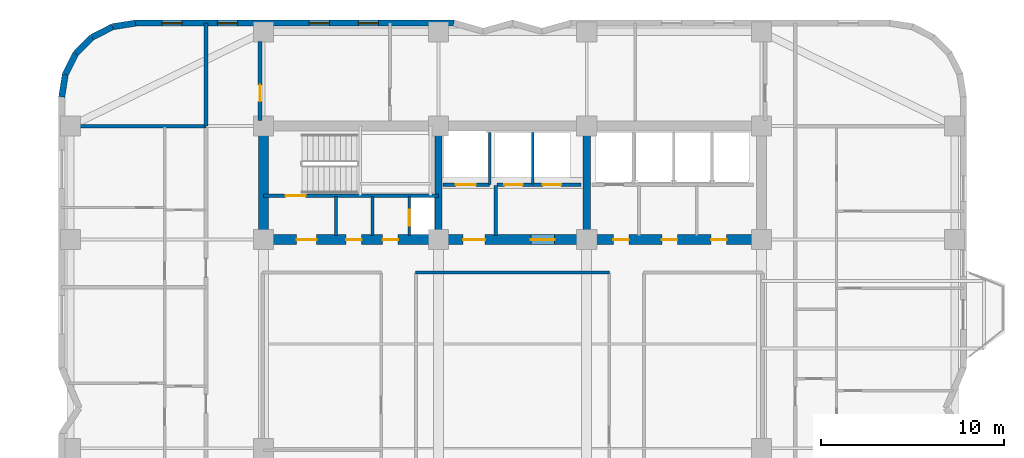
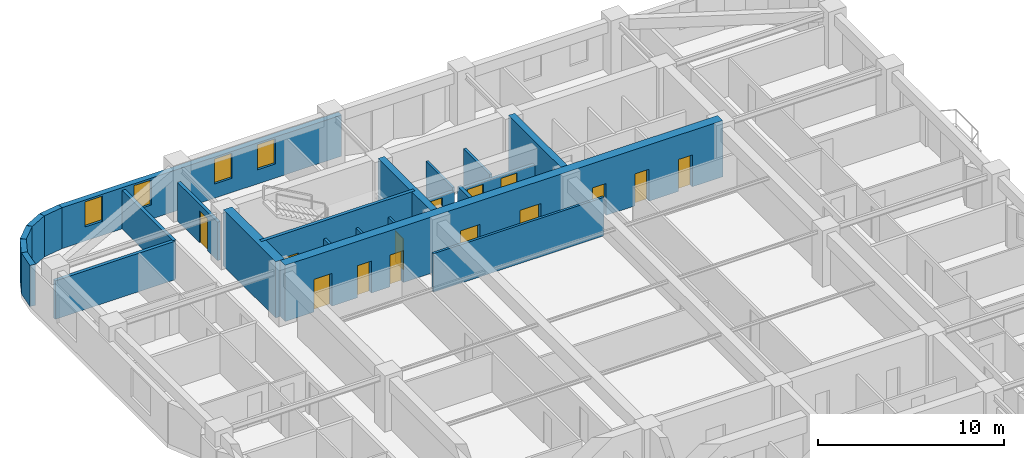
# One storey, part 6 of 9: 23 walls, 14 doors, 4 windows, 18 openings.
"""IFC4 building model written with IfcOpenShell, lengths in metres."""

from ifc_helpers import new_model, si_unit, direction, frame, frame_2d, origin, place, context, subcontext, project, spatial, rectangle, extrude, material, layer, layer_set, type_object, element, fill, save


model = new_model("IFC4")

# Units and contexts
model_context = context("Model", 3, precision=1e-05, world=origin(), true_north=direction((0.0, 1.0)))
body_context = subcontext(model_context, "Body", "Model", "MODEL_VIEW")
ifc_project = project(units=[si_unit("LENGTHUNIT", "METRE"), si_unit("AREAUNIT", "SQUARE_METRE"), si_unit("VOLUMEUNIT", "CUBIC_METRE"), si_unit("PLANEANGLEUNIT", "RADIAN"), si_unit("MASSUNIT", "GRAM", prefix="KILO")], contexts=[model_context])

# Site, building, storey
site_placement = place(None, origin())
site = spatial("IfcSite", under=ifc_project, at=site_placement, CompositionType="ELEMENT")
building_placement = place(site_placement, origin())
building = spatial("IfcBuilding", under=site, at=building_placement, Name="Svetorya Sky Lyceum", CompositionType="ELEMENT")
storey_placement = place(building_placement, frame((0.0, 0.0, 103.10009765625)))
storey = spatial("IfcBuildingStorey", under=building, at=storey_placement, Name="L25", CompositionType="ELEMENT", Elevation=103.10009765625)

# Walls
ifc_material_1 = material(Name="Concrete C40/50", Category="concrete")
ifc_layer_1 = layer(ifc_material_1, 0.39990234375)
ifc_layer_set_1 = layer_set([ifc_layer_1], Name="Concrete C40/50")
wall_type_1 = type_object("IfcWallType", Name="WL-CORE-400", PredefinedType="SHEAR", material=ifc_layer_set_1)
for number, where, z_axis, x_axis, name in (
    (1, (35.14990234375, 39.875, 0.0), (0.0, 0.0, 1.0), (0.0, 1.0, 0.0), "L25 NC Internal Shear Web WEB1"),
    (2, (43.25, 39.875, 0.0), (0.0, 0.0, 1.0), (0.0, 1.0, 0.0), "L25 NC Internal Shear Web WEB2"),
):
    element("IfcWall", number, at=place(storey_placement, frame(where, z_axis=z_axis, x_axis=x_axis)), inside=storey, type_object=wall_type_1, Name=name, PredefinedType="SHEAR", context=body_context, shape_type="SweptSolid", body=[
        extrude(rectangle(XDim=5.64990234375, YDim=0.39990234375, at=frame_2d((2.824951171875, 0.0))), origin(), (0.0, 0.0, 1.0), 3.699951171875),
    ])
ifc_material_2 = material(Name="Concrete C60/75", Category="concrete")
ifc_layer_2 = layer(ifc_material_2, 0.550048828125)
ifc_layer_set_2 = layer_set([ifc_layer_2], Name="Concrete C60/75")
wall_type_2 = type_object("IfcWallType", Name="WL-CORE-550", PredefinedType="SHEAR", material=ifc_layer_set_2)
wall_1_placement = place(storey_placement, frame((25.60009765625, 39.875, 0.0), z_axis=(0.0, 0.0, 1.0), x_axis=(0.0, 1.0, 0.0)))
element("IfcWall", 3, at=wall_1_placement, inside=storey, type_object=wall_type_2, Name="L25 NC West Core Shear Wall", PredefinedType="SHEAR", context=body_context, shape_type="SweptSolid", body=[
    extrude(rectangle(XDim=5.64990234375, YDim=0.550048828125, at=frame_2d((2.824951171875, 0.0))), origin(), (0.0, 0.0, 1.0), 3.699951171875),
])

# Wall, openings, doors
wall_2_placement = place(storey_placement, frame((52.800048828125, 39.60009765625, 0.0), z_axis=(0.0, 0.0, 1.0), x_axis=(-1.0, 0.0, 0.0)))
wall_2 = element("IfcWall", 4, at=wall_2_placement, inside=storey, type_object=wall_type_2, Name="L25 NC Inner Core Shear Wall", PredefinedType="SHEAR", context=body_context, shape_type="SweptSolid", body=[
    extrude(rectangle(XDim=27.199951171875, YDim=0.550048828125, at=frame_2d((13.60009765625, 0.0))), origin(), (0.0, 0.0, 1.0), 3.699951171875),
])
opening_1_placement = place(wall_2_placement, frame((24.300048828125, 0.0, 0.0)))
opening_1 = element("IfcOpeningElement", 5, at=opening_1_placement, cuts=wall_2, Name="Opening D-ST1", PredefinedType="OPENING", context=body_context, shape_type="SweptSolid", body=[
    extrude(rectangle(XDim=1.10009765625, YDim=2.14990234375, at=frame_2d((0.550048828125, 1.074951171875))), frame((0.0, 0.284912109375, 0.0), z_axis=(0.0, -1.0, 0.0), x_axis=(1.0, 0.0, 0.0)), (0.0, 0.0, 1.0), 0.570068359375),
])
opening_2_placement = place(wall_2_placement, frame((21.85009765625, 0.0, 0.0)))
opening_2 = element("IfcOpeningElement", 6, at=opening_2_placement, cuts=wall_2, Name="Opening D-CWC1", PredefinedType="OPENING", context=body_context, shape_type="SweptSolid", body=[
    extrude(rectangle(XDim=0.85009765625, YDim=2.10009765625, at=frame_2d((0.425048828125, 1.050048828125))), frame((0.0, 0.284912109375, 0.0), z_axis=(0.0, -1.0, 0.0), x_axis=(1.0, 0.0, 0.0)), (0.0, 0.0, 1.0), 0.570068359375),
])
opening_3_placement = place(wall_2_placement, frame((19.85009765625, 0.0, 0.0)))
opening_3 = element("IfcOpeningElement", 7, at=opening_3_placement, cuts=wall_2, Name="Opening D-CWC1", PredefinedType="OPENING", context=body_context, shape_type="SweptSolid", body=[
    extrude(rectangle(XDim=0.85009765625, YDim=2.10009765625, at=frame_2d((0.425048828125, 1.050048828125))), frame((0.0, 0.284912109375, 0.0), z_axis=(0.0, -1.0, 0.0), x_axis=(1.0, 0.0, 0.0)), (0.0, 0.0, 1.0), 0.570068359375),
])
opening_4_placement = place(wall_2_placement, frame((15.10009765625, 0.0, 0.0)))
opening_4 = element("IfcOpeningElement", 8, at=opening_4_placement, cuts=wall_2, Name="Opening D-FL1", PredefinedType="OPENING", context=body_context, shape_type="SweptSolid", body=[
    extrude(rectangle(XDim=1.199951171875, YDim=2.14990234375, at=frame_2d((0.60009765625, 1.074951171875))), frame((0.0, 0.284912109375, 0.0), z_axis=(0.0, -1.0, 0.0), x_axis=(1.0, 0.0, 0.0)), (0.0, 0.0, 1.0), 0.570068359375),
])
opening_5_placement = place(wall_2_placement, frame((11.300048828125, 0.0, 0.0)))
opening_5 = element("IfcOpeningElement", 9, at=opening_5_placement, cuts=wall_2, Name="Opening D-LB1", PredefinedType="OPENING", context=body_context, shape_type="SweptSolid", body=[
    extrude(rectangle(XDim=1.300048828125, YDim=2.199951171875, at=frame_2d((0.64990234375, 1.10009765625))), frame((0.0, 0.284912109375, 0.0), z_axis=(0.0, -1.0, 0.0), x_axis=(1.0, 0.0, 0.0)), (0.0, 0.0, 1.0), 0.570068359375),
])
opening_6_placement = place(wall_2_placement, frame((7.25, 0.0, 0.0)))
opening_6 = element("IfcOpeningElement", 10, at=opening_6_placement, cuts=wall_2, Name="Opening D-CWC1", PredefinedType="OPENING", context=body_context, shape_type="SweptSolid", body=[
    extrude(rectangle(XDim=0.85009765625, YDim=2.10009765625, at=frame_2d((0.425048828125, 1.050048828125))), frame((0.0, 0.284912109375, 0.0), z_axis=(0.0, -1.0, 0.0), x_axis=(1.0, 0.0, 0.0)), (0.0, 0.0, 1.0), 0.570068359375),
])
opening_7_placement = place(wall_2_placement, frame((4.60009765625, 0.0, 0.0)))
opening_7 = element("IfcOpeningElement", 11, at=opening_7_placement, cuts=wall_2, Name="Opening D-CWC1", PredefinedType="OPENING", context=body_context, shape_type="SweptSolid", body=[
    extrude(rectangle(XDim=0.85009765625, YDim=2.10009765625, at=frame_2d((0.425048828125, 1.050048828125))), frame((0.0, 0.284912109375, 0.0), z_axis=(0.0, -1.0, 0.0), x_axis=(1.0, 0.0, 0.0)), (0.0, 0.0, 1.0), 0.570068359375),
])
opening_8_placement = place(wall_2_placement, frame((1.89990234375, 0.0, 0.0)))
opening_8 = element("IfcOpeningElement", 12, at=opening_8_placement, cuts=wall_2, Name="Opening D-CWC1", PredefinedType="OPENING", context=body_context, shape_type="SweptSolid", body=[
    extrude(rectangle(XDim=0.85009765625, YDim=2.10009765625, at=frame_2d((0.425048828125, 1.050048828125))), frame((0.0, 0.284912109375, 0.0), z_axis=(0.0, -1.0, 0.0), x_axis=(1.0, 0.0, 0.0)), (0.0, 0.0, 1.0), 0.570068359375),
])
ifc_material_3 = material(Name="Fire-rated galvanized steel core service closet door", Category="steel")
door_type_1 = type_object("IfcDoorType", Name="DR-CWET-850", OperationType="SINGLE_SWING_LEFT", PredefinedType="DOOR", material=ifc_material_3)
door_1_placement = place(opening_2_placement, origin())
door_1 = element("IfcDoor", 13, at=door_1_placement, inside=storey, type_object=door_type_1, Name="L25 North Cleaner Door", OperationType="SINGLE_SWING_RIGHT", OverallHeight=2.10009765625, OverallWidth=0.85009765625, PredefinedType="DOOR", context=body_context, shape_type="SweptSolid", body=[
    extrude(rectangle(XDim=0.85009765625, YDim=2.10009765625, at=frame_2d((0.425048828125, 1.050048828125))), frame((0.0, 0.02490234375, 0.0), z_axis=(0.0, -1.0, 0.0), x_axis=(1.0, 0.0, 0.0)), (0.0, 0.0, 1.0), 0.050048828125),
])
fill(opening_2, door_1)
door_2_placement = place(opening_3_placement, origin())
door_2 = element("IfcDoor", 14, at=door_2_placement, inside=storey, type_object=door_type_1, Name="L25 North Meter Door", OperationType="SINGLE_SWING_LEFT", OverallHeight=2.10009765625, OverallWidth=0.85009765625, PredefinedType="DOOR", context=body_context, shape_type="SweptSolid", body=[
    extrude(rectangle(XDim=0.85009765625, YDim=2.10009765625, at=frame_2d((0.425048828125, 1.050048828125))), frame((0.0, 0.02490234375, 0.0), z_axis=(0.0, -1.0, 0.0), x_axis=(1.0, 0.0, 0.0)), (0.0, 0.0, 1.0), 0.050048828125),
])
fill(opening_3, door_2)
door_3_placement = place(opening_6_placement, origin())
door_3 = element("IfcDoor", 15, at=door_3_placement, inside=storey, type_object=door_type_1, Name="L25 Mid-Rise Lift PM3 Lobby Door", OperationType="SINGLE_SWING_LEFT", OverallHeight=2.10009765625, OverallWidth=0.85009765625, PredefinedType="DOOR", context=body_context, shape_type="SweptSolid", body=[
    extrude(rectangle(XDim=0.85009765625, YDim=2.10009765625, at=frame_2d((0.425048828125, 1.050048828125))), frame((0.0, 0.02490234375, 0.0), z_axis=(0.0, -1.0, 0.0), x_axis=(1.0, 0.0, 0.0)), (0.0, 0.0, 1.0), 0.050048828125),
])
fill(opening_6, door_3)
door_4_placement = place(opening_7_placement, origin())
door_4 = element("IfcDoor", 16, at=door_4_placement, inside=storey, type_object=door_type_1, Name="L25 Mid-Rise WC Door", OperationType="SINGLE_SWING_LEFT", OverallHeight=2.10009765625, OverallWidth=0.85009765625, PredefinedType="DOOR", context=body_context, shape_type="SweptSolid", body=[
    extrude(rectangle(XDim=0.85009765625, YDim=2.10009765625, at=frame_2d((0.425048828125, 1.050048828125))), frame((0.0, 0.02490234375, 0.0), z_axis=(0.0, -1.0, 0.0), x_axis=(1.0, 0.0, 0.0)), (0.0, 0.0, 1.0), 0.050048828125),
])
fill(opening_7, door_4)
door_5_placement = place(opening_8_placement, origin())
door_5 = element("IfcDoor", 17, at=door_5_placement, inside=storey, type_object=door_type_1, Name="L25 Mid-Rise Switch Closet Door", OperationType="SINGLE_SWING_RIGHT", OverallHeight=2.10009765625, OverallWidth=0.85009765625, PredefinedType="DOOR", context=body_context, shape_type="SweptSolid", body=[
    extrude(rectangle(XDim=0.85009765625, YDim=2.10009765625, at=frame_2d((0.425048828125, 1.050048828125))), frame((0.0, 0.02490234375, 0.0), z_axis=(0.0, -1.0, 0.0), x_axis=(1.0, 0.0, 0.0)), (0.0, 0.0, 1.0), 0.050048828125),
])
fill(opening_8, door_5)
ifc_material_4 = material(Name="Powder-coated insulated galvanized stair fire door")
door_type_2 = type_object("IfcDoorType", Name="DR-FIRE-1100", OperationType="SINGLE_SWING_LEFT", PredefinedType="DOOR", material=ifc_material_4)
door_6_placement = place(opening_1_placement, origin())
door_6 = element("IfcDoor", 18, at=door_6_placement, inside=storey, type_object=door_type_2, Name="L25 North Stair Airlock Door", OperationType="SINGLE_SWING_LEFT", OverallHeight=2.14990234375, OverallWidth=1.10009765625, PredefinedType="DOOR", context=body_context, shape_type="SweptSolid", body=[
    extrude(rectangle(XDim=1.10009765625, YDim=2.14990234375, at=frame_2d((0.550048828125, 1.074951171875))), frame((0.0, 0.02490234375, 0.0), z_axis=(0.0, -1.0, 0.0), x_axis=(1.0, 0.0, 0.0)), (0.0, 0.0, 1.0), 0.050048828125),
])
fill(opening_1, door_6)
ifc_material_5 = material(Name="Powder-coated insulated galvanized fire door")
door_type_3 = type_object("IfcDoorType", Name="DR-FIRE-1200", OperationType="SINGLE_SWING_LEFT", PredefinedType="DOOR", material=ifc_material_5)
door_7_placement = place(opening_4_placement, origin())
door_7 = element("IfcDoor", 19, at=door_7_placement, inside=storey, type_object=door_type_3, Name="L25 North Firefighting Lift Lobby Door", OperationType="SINGLE_SWING_RIGHT", OverallHeight=2.14990234375, OverallWidth=1.199951171875, PredefinedType="DOOR", context=body_context, shape_type="SweptSolid", body=[
    extrude(rectangle(XDim=1.199951171875, YDim=2.14990234375, at=frame_2d((0.60009765625, 1.074951171875))), frame((0.0, 0.02490234375, 0.0), z_axis=(0.0, -1.0, 0.0), x_axis=(1.0, 0.0, 0.0)), (0.0, 0.0, 1.0), 0.050048828125),
])
fill(opening_4, door_7)
ifc_material_6 = material(Name="Glazed fire-rated aluminium lobby door", Category="aluminium")
door_type_4 = type_object("IfcDoorType", Name="DR-LOB-1300", OperationType="SINGLE_SWING_LEFT", PredefinedType="DOOR", material=ifc_material_6)
door_8_placement = place(opening_5_placement, origin())
door_8 = element("IfcDoor", 20, at=door_8_placement, inside=storey, type_object=door_type_4, Name="L25 Mid-Rise Lift Lobby West Door", OperationType="SINGLE_SWING_LEFT", OverallHeight=2.199951171875, OverallWidth=1.300048828125, PredefinedType="DOOR", context=body_context, shape_type="SweptSolid", body=[
    extrude(rectangle(XDim=1.300048828125, YDim=2.199951171875, at=frame_2d((0.64990234375, 1.10009765625))), frame((0.0, 0.02490234375, 0.0), z_axis=(0.0, -1.0, 0.0), x_axis=(1.0, 0.0, 0.0)), (0.0, 0.0, 1.0), 0.050048828125),
])
fill(opening_5, door_8)

# Wall, openings, windows
ifc_material_7 = material(Name="Putilovo limestone rainscreen on autoclaved cellular masonry", Category="masonry")
ifc_layer_3 = layer(ifc_material_7, 0.340087890625)
ifc_layer_set_3 = layer_set([ifc_layer_3], Name="Putilovo limestone rainscreen on autoclaved cellular masonry")
wall_type_3 = type_object("IfcWallType", Name="WL-EXT-340", PredefinedType="SOLIDWALL", material=ifc_layer_set_3)
wall_3_placement = place(storey_placement, frame((36.0, 51.429931640625, 0.0), z_axis=(0.0, 0.0, 1.0), x_axis=(-1.0, 0.0, 0.0)))
wall_3 = element("IfcWall", 21, at=wall_3_placement, inside=storey, type_object=wall_type_3, Name="L25 Limestone Exterior Wall 34M", PredefinedType="SOLIDWALL", context=body_context, shape_type="SweptSolid", body=[
    extrude(rectangle(XDim=17.39990234375, YDim=0.340087890625, at=frame_2d((8.699951171875, 0.0))), origin(), (0.0, 0.0, 1.0), 2.699951171875),
])
opening_9_placement = place(wall_3_placement, frame((4.125, 0.0, 0.929931640625)))
opening_9 = element("IfcOpeningElement", 22, at=opening_9_placement, cuts=wall_3, Name="Opening W-R3", PredefinedType="OPENING", context=body_context, shape_type="SweptSolid", body=[
    extrude(rectangle(XDim=1.10009765625, YDim=1.64990234375, at=frame_2d((0.550048828125, 0.824951171875))), frame((0.0, 0.179931640625, 0.0), z_axis=(0.0, -1.0, 0.0), x_axis=(1.0, 0.0, 0.0)), (0.0, 0.0, 1.0), 0.360107421875),
])
opening_10_placement = place(wall_3_placement, frame((6.808349609375, 0.0, 0.929931640625)))
opening_10 = element("IfcOpeningElement", 23, at=opening_10_placement, cuts=wall_3, Name="Opening W-R3", PredefinedType="OPENING", context=body_context, shape_type="SweptSolid", body=[
    extrude(rectangle(XDim=1.10009765625, YDim=1.64990234375, at=frame_2d((0.550048828125, 0.824951171875))), frame((0.0, 0.179931640625, 0.0), z_axis=(0.0, -1.0, 0.0), x_axis=(1.0, 0.0, 0.0)), (0.0, 0.0, 1.0), 0.360107421875),
])
opening_11_placement = place(wall_3_placement, frame((11.824951171875, 0.0, 0.929931640625)))
opening_11 = element("IfcOpeningElement", 24, at=opening_11_placement, cuts=wall_3, Name="Opening W-R3", PredefinedType="OPENING", context=body_context, shape_type="SweptSolid", body=[
    extrude(rectangle(XDim=1.10009765625, YDim=1.64990234375, at=frame_2d((0.550048828125, 0.824951171875))), frame((0.0, 0.179931640625, 0.0), z_axis=(0.0, -1.0, 0.0), x_axis=(1.0, 0.0, 0.0)), (0.0, 0.0, 1.0), 0.360107421875),
])
opening_12_placement = place(wall_3_placement, frame((14.8583984375, 0.0, 0.929931640625)))
opening_12 = element("IfcOpeningElement", 25, at=opening_12_placement, cuts=wall_3, Name="Opening W-R3", PredefinedType="OPENING", context=body_context, shape_type="SweptSolid", body=[
    extrude(rectangle(XDim=1.10009765625, YDim=1.64990234375, at=frame_2d((0.550048828125, 0.824951171875))), frame((0.0, 0.179931640625, 0.0), z_axis=(0.0, -1.0, 0.0), x_axis=(1.0, 0.0, 0.0)), (0.0, 0.0, 1.0), 0.360107421875),
])
ifc_material_8 = material(Name="Thermally broken aluminium frame with triple low-E glazing", Category="aluminium")
window_type = type_object("IfcWindowType", Name="WN-RES-110", PartitioningType="SINGLE_PANEL", PredefinedType="WINDOW", material=ifc_material_8)
window_1_placement = place(opening_9_placement, origin())
window_1 = element("IfcWindow", 26, at=window_1_placement, inside=storey, type_object=window_type, Name="L25 Facade Window W-R3.34M.1", OverallHeight=1.64990234375, OverallWidth=1.10009765625, PartitioningType="SINGLE_PANEL", PredefinedType="WINDOW", context=body_context, shape_type="SweptSolid", body=[
    extrude(rectangle(XDim=1.10009765625, YDim=1.64990234375, at=frame_2d((0.550048828125, 0.824951171875))), frame((0.0, 0.030029296875, 0.0), z_axis=(0.0, -1.0, 0.0), x_axis=(1.0, 0.0, 0.0)), (0.0, 0.0, 1.0), 0.06005859375),
])
fill(opening_9, window_1)
window_2_placement = place(opening_10_placement, origin())
window_2 = element("IfcWindow", 27, at=window_2_placement, inside=storey, type_object=window_type, Name="L25 Facade Window W-R3.34M.2", OverallHeight=1.64990234375, OverallWidth=1.10009765625, PartitioningType="SINGLE_PANEL", PredefinedType="WINDOW", context=body_context, shape_type="SweptSolid", body=[
    extrude(rectangle(XDim=1.10009765625, YDim=1.64990234375, at=frame_2d((0.550048828125, 0.824951171875))), frame((0.0, 0.030029296875, 0.0), z_axis=(0.0, -1.0, 0.0), x_axis=(1.0, 0.0, 0.0)), (0.0, 0.0, 1.0), 0.06005859375),
])
fill(opening_10, window_2)
window_3_placement = place(opening_11_placement, origin())
window_3 = element("IfcWindow", 28, at=window_3_placement, inside=storey, type_object=window_type, Name="L25 Facade Window W-R3.34M.3", OverallHeight=1.64990234375, OverallWidth=1.10009765625, PartitioningType="SINGLE_PANEL", PredefinedType="WINDOW", context=body_context, shape_type="SweptSolid", body=[
    extrude(rectangle(XDim=1.10009765625, YDim=1.64990234375, at=frame_2d((0.550048828125, 0.824951171875))), frame((0.0, 0.030029296875, 0.0), z_axis=(0.0, -1.0, 0.0), x_axis=(1.0, 0.0, 0.0)), (0.0, 0.0, 1.0), 0.06005859375),
])
fill(opening_11, window_3)
window_4_placement = place(opening_12_placement, origin())
window_4 = element("IfcWindow", 29, at=window_4_placement, inside=storey, type_object=window_type, Name="L25 Facade Window W-R3.34M.4", OverallHeight=1.64990234375, OverallWidth=1.10009765625, PartitioningType="SINGLE_PANEL", PredefinedType="WINDOW", context=body_context, shape_type="SweptSolid", body=[
    extrude(rectangle(XDim=1.10009765625, YDim=1.64990234375, at=frame_2d((0.550048828125, 0.824951171875))), frame((0.0, 0.030029296875, 0.0), z_axis=(0.0, -1.0, 0.0), x_axis=(1.0, 0.0, 0.0)), (0.0, 0.0, 1.0), 0.06005859375),
])
fill(opening_12, window_4)

# Walls
wall_4_placement = place(storey_placement, frame((18.60009765625, 51.429931640625, 0.0), z_axis=(0.0, 0.0, 1.0), x_axis=(-0.98771582066, -0.156260864002, 0.0)))
element("IfcWall", 30, at=wall_4_placement, inside=storey, type_object=wall_type_3, Name="L25 Limestone Exterior Wall 35M", PredefinedType="SOLIDWALL", context=body_context, shape_type="SweptSolid", body=[
    extrude(rectangle(XDim=1.2607421875, YDim=0.340087890625, at=frame_2d((0.63037109375, 0.0))), origin(), (0.0, 0.0, 1.0), 2.699951171875),
])
for number, where, z_axis, x_axis, name in (
    (31, (17.354736328125, 51.23291015625, 0.0), (0.0, 0.0, 1.0), (-0.890993689142, -0.454015689056, 0.0), "L25 Limestone Exterior Wall 36M"),
    (32, (16.231201171875, 50.660400390625, 0.0), (0.0, 0.0, 1.0), (-0.707106781187, -0.707106781187, 0.0), "L25 Limestone Exterior Wall 37M"),
    (33, (15.339599609375, 49.768798828125, 0.0), (0.0, 0.0, 1.0), (-0.454015689056, -0.890993689142, 0.0), "L25 Limestone Exterior Wall 38M"),
):
    element("IfcWall", number, at=place(storey_placement, frame(where, z_axis=z_axis, x_axis=x_axis)), inside=storey, type_object=wall_type_3, Name=name, PredefinedType="SOLIDWALL", context=body_context, shape_type="SweptSolid", body=[
        extrude(rectangle(XDim=1.260986328125, YDim=0.340087890625, at=frame_2d((0.63037109375, 0.0))), origin(), (0.0, 0.0, 1.0), 2.699951171875),
    ])
wall_5_placement = place(storey_placement, frame((14.76708984375, 48.645263671875, 0.0), z_axis=(0.0, 0.0, 1.0), x_axis=(-0.156260864002, -0.98771582066, 0.0)))
element("IfcWall", 34, at=wall_5_placement, inside=storey, type_object=wall_type_3, Name="L25 Limestone Exterior Wall 39M", PredefinedType="SOLIDWALL", context=body_context, shape_type="SweptSolid", body=[
    extrude(rectangle(XDim=1.2607421875, YDim=0.340087890625, at=frame_2d((0.63037109375, 0.0))), origin(), (0.0, 0.0, 1.0), 2.699951171875),
])

# Wall, opening, door
ifc_material_9 = material(Name="Autoclaved cellular masonry blockwork with acoustic render", Category="masonry")
ifc_layer_4 = layer(ifc_material_9, 0.14990234375)
ifc_layer_set_4 = layer_set([ifc_layer_4], Name="Autoclaved cellular masonry blockwork with acoustic render")
wall_type_4 = type_object("IfcWallType", Name="WL-PART-150", PredefinedType="PARTITIONING", material=ifc_layer_set_4)
wall_6_placement = place(storey_placement, frame((33.550048828125, 39.820068359375, 0.0), z_axis=(0.0, 0.0, 1.0), x_axis=(0.0, 1.0, 0.0)))
wall_6 = element("IfcWall", 35, at=wall_6_placement, inside=storey, type_object=wall_type_4, Name="L25 Interior Partition NC-RSRW", PredefinedType="PARTITIONING", context=body_context, shape_type="SweptSolid", body=[
    extrude(rectangle(XDim=2.1298828125, YDim=0.14990234375, at=frame_2d((1.06494140625, 0.0))), origin(), (0.0, 0.0, 1.0), 2.52978515625),
])
opening_13_placement = place(wall_6_placement, frame((0.550048828125, 0.0, 0.0)))
opening_13 = element("IfcOpeningElement", 36, at=opening_13_placement, cuts=wall_6, Name="Opening D-SH1", PredefinedType="OPENING", context=body_context, shape_type="SweptSolid", body=[
    extrude(rectangle(XDim=0.85009765625, YDim=2.050048828125, at=frame_2d((0.425048828125, 1.02490234375))), frame((0.0, 0.0849609375, 0.0), z_axis=(0.0, -1.0, 0.0), x_axis=(1.0, 0.0, 0.0)), (0.0, 0.0, 1.0), 0.169921875),
])
ifc_material_10 = material(Name="Insulated galvanized riser inspection fire door")
door_type_5 = type_object("IfcDoorType", Name="DR-SHFT-850", OperationType="SINGLE_SWING_LEFT", PredefinedType="TRAPDOOR", material=ifc_material_10)
door_9_placement = place(opening_13_placement, origin())
door_9 = element("IfcDoor", 37, at=door_9_placement, inside=storey, type_object=door_type_5, Name="L25 North Riser Access Door", OperationType="SINGLE_SWING_LEFT", OverallHeight=2.050048828125, OverallWidth=0.85009765625, PredefinedType="TRAPDOOR", context=body_context, shape_type="SweptSolid", body=[
    extrude(rectangle(XDim=0.85009765625, YDim=2.050048828125, at=frame_2d((0.425048828125, 1.02490234375))), frame((0.0, 0.02490234375, 0.0), z_axis=(0.0, -1.0, 0.0), x_axis=(1.0, 0.0, 0.0)), (0.0, 0.0, 1.0), 0.050048828125),
])
fill(opening_13, door_9)

# Walls
for number, where, z_axis, x_axis, name in (
    (38, (29.550048828125, 39.820068359375, 0.0), (0.0, 0.0, 1.0), (0.0, 1.0, 0.0), "L25 Interior Partition NC-NWD1"),
    (39, (31.550048828125, 39.820068359375, 0.0), (0.0, 0.0, 1.0), (0.0, 1.0, 0.0), "L25 Interior Partition NC-NWD2"),
):
    element("IfcWall", number, at=place(storey_placement, frame(where, z_axis=z_axis, x_axis=x_axis)), inside=storey, type_object=wall_type_4, Name=name, PredefinedType="PARTITIONING", context=body_context, shape_type="SweptSolid", body=[
        extrude(rectangle(XDim=2.1298828125, YDim=0.14990234375, at=frame_2d((1.06494140625, 0.0))), origin(), (0.0, 0.0, 1.0), 2.52978515625),
    ])
wall_7_placement = place(storey_placement, frame((37.949951171875, 42.60009765625, 0.0), z_axis=(0.0, 0.0, 1.0), x_axis=(0.0, 1.0, 0.0)))
element("IfcWall", 40, at=wall_7_placement, inside=storey, type_object=wall_type_4, Name="L25 Interior Partition NC-FL1SIDE", PredefinedType="PARTITIONING", context=body_context, shape_type="SweptSolid", body=[
    extrude(rectangle(XDim=2.849853515625, YDim=0.14990234375, at=frame_2d((1.4248046875, 0.0))), origin(), (0.0, 0.0, 1.0), 2.52978515625),
])
wall_8_placement = place(storey_placement, frame((40.300048828125, 42.64990234375, 0.0), z_axis=(0.0, 0.0, 1.0), x_axis=(0.0, 1.0, 0.0)))
element("IfcWall", 41, at=wall_8_placement, inside=storey, type_object=wall_type_4, Name="L25 Interior Partition NC-PM-D1", PredefinedType="PARTITIONING", context=body_context, shape_type="SweptSolid", body=[
    extrude(rectangle(XDim=2.800048828125, YDim=0.14990234375, at=frame_2d((1.39990234375, 0.0))), origin(), (0.0, 0.0, 1.0), 2.52978515625),
])
wall_9_placement = place(storey_placement, frame((33.89990234375, 37.800048828125, 0.0), z_axis=(0.0, 0.0, 1.0), x_axis=(1.0, 0.0, 0.0)))
element("IfcWall", 42, at=wall_9_placement, inside=storey, type_object=wall_type_4, Name="L25 Interior Partition RL-CN-M", PredefinedType="PARTITIONING", context=body_context, shape_type="SweptSolid", body=[
    extrude(rectangle(XDim=10.60009765625, YDim=0.14990234375, at=frame_2d((5.300048828125, 0.0))), origin(), (0.0, 0.0, 1.0), 2.52978515625),
])

# Wall, opening, door
ifc_material_11 = material(Name="Autoclaved cellular masonry blockwork with gypsum plaster", Category="masonry")
ifc_layer_5 = layer(ifc_material_11, 0.199951171875)
ifc_layer_set_5 = layer_set([ifc_layer_5], Name="Autoclaved cellular masonry blockwork with gypsum plaster")
wall_type_5 = type_object("IfcWallType", Name="WL-PART-200", PredefinedType="PARTITIONING", material=ifc_layer_set_5)
wall_10_placement = place(storey_placement, frame((37.949951171875, 42.60009765625, 0.0), z_axis=(0.0, 0.0, 1.0), x_axis=(-1.0, 0.0, 0.0)))
wall_10 = element("IfcWall", 43, at=wall_10_placement, inside=storey, type_object=wall_type_5, Name="L25 Interior Partition NC-FL1W", PredefinedType="PARTITIONING", context=body_context, shape_type="SweptSolid", body=[
    extrude(rectangle(XDim=2.550048828125, YDim=0.199951171875, at=frame_2d((1.27490234375, 0.0))), origin(), (0.0, 0.0, 1.0), 2.2998046875),
])
opening_14_placement = place(wall_10_placement, frame((0.75, 0.0, 0.0)))
opening_14 = element("IfcOpeningElement", 44, at=opening_14_placement, cuts=wall_10, Name="Opening LD-FL", PredefinedType="OPENING", context=body_context, shape_type="SweptSolid", body=[
    extrude(rectangle(XDim=1.10009765625, YDim=2.14990234375, at=frame_2d((0.550048828125, 1.074951171875))), frame((0.0, 0.10986328125, 0.0), z_axis=(0.0, -1.0, 0.0), x_axis=(1.0, 0.0, 0.0)), (0.0, 0.0, 1.0), 0.219970703125),
])
ifc_material_12 = material(Name="Fire-rated stainless AISI 304 firefighting lift landing door")
door_type_6 = type_object("IfcDoorType", Name="DR-LIFT-1100", OperationType="SLIDING_TO_LEFT", PredefinedType="DOOR", material=ifc_material_12)
door_10_placement = place(opening_14_placement, origin())
door_10 = element("IfcDoor", 45, at=door_10_placement, inside=storey, type_object=door_type_6, Name="L25 Firefighting Lift FL1 Landing Door", OperationType="SLIDING_TO_LEFT", OverallHeight=2.14990234375, OverallWidth=1.10009765625, PredefinedType="DOOR", context=body_context, shape_type="SweptSolid", body=[
    extrude(rectangle(XDim=1.10009765625, YDim=2.14990234375, at=frame_2d((0.550048828125, 1.074951171875))), frame((0.0, 0.02490234375, 0.0), z_axis=(0.0, -1.0, 0.0), x_axis=(1.0, 0.0, 0.0)), (0.0, 0.0, 1.0), 0.050048828125),
])
fill(opening_14, door_10)

# Wall
wall_11_placement = place(storey_placement, frame((38.280029296875, 39.820068359375, 0.0), z_axis=(0.0, 0.0, 1.0), x_axis=(0.0, 1.0, 0.0)))
element("IfcWall", 46, at=wall_11_placement, inside=storey, type_object=wall_type_5, Name="L25 Interior Partition NC-FFLDIV", PredefinedType="PARTITIONING", context=body_context, shape_type="SweptSolid", body=[
    extrude(rectangle(XDim=2.72998046875, YDim=0.199951171875, at=frame_2d((1.364990234375, 0.0))), origin(), (0.0, 0.0, 1.0), 2.52978515625),
])

# Wall, openings, doors
wall_12_placement = place(storey_placement, frame((42.949951171875, 42.60009765625, 0.0), z_axis=(0.0, 0.0, 1.0), x_axis=(-1.0, 0.0, 0.0)))
wall_12 = element("IfcWall", 47, at=wall_12_placement, inside=storey, type_object=wall_type_5, Name="L25 Interior Partition NC-PM12W", PredefinedType="PARTITIONING", context=body_context, shape_type="SweptSolid", body=[
    extrude(rectangle(XDim=4.599853515625, YDim=0.199951171875, at=frame_2d((2.2998046875, 0.0))), origin(), (0.0, 0.0, 1.0), 2.2998046875),
])
opening_15_placement = place(wall_12_placement, frame((3.199951171875, 0.0, 0.0)))
opening_15 = element("IfcOpeningElement", 48, at=opening_15_placement, cuts=wall_12, Name="Opening LD-P1", PredefinedType="OPENING", context=body_context, shape_type="SweptSolid", body=[
    extrude(rectangle(XDim=1.0, YDim=2.14990234375, at=frame_2d((0.5, 1.074951171875))), frame((0.0, 0.10986328125, 0.0), z_axis=(0.0, -1.0, 0.0), x_axis=(1.0, 0.0, 0.0)), (0.0, 0.0, 1.0), 0.219970703125),
])
opening_16_placement = place(wall_12_placement, frame((1.10009765625, 0.0, 0.0)))
opening_16 = element("IfcOpeningElement", 49, at=opening_16_placement, cuts=wall_12, Name="Opening LD-P1", PredefinedType="OPENING", context=body_context, shape_type="SweptSolid", body=[
    extrude(rectangle(XDim=1.0, YDim=2.14990234375, at=frame_2d((0.5, 1.074951171875))), frame((0.0, 0.10986328125, 0.0), z_axis=(0.0, -1.0, 0.0), x_axis=(1.0, 0.0, 0.0)), (0.0, 0.0, 1.0), 0.219970703125),
])
ifc_material_13 = material(Name="Champagne-anodized stainless passenger lift landing door")
door_type_7 = type_object("IfcDoorType", Name="DR-LIFT-1000", OperationType="SLIDING_TO_LEFT", PredefinedType="DOOR", material=ifc_material_13)
door_11_placement = place(opening_15_placement, origin())
door_11 = element("IfcDoor", 50, at=door_11_placement, inside=storey, type_object=door_type_7, Name="L25 Passenger Lift PM1 Landing Door", OperationType="SLIDING_TO_LEFT", OverallHeight=2.14990234375, OverallWidth=1.0, PredefinedType="DOOR", context=body_context, shape_type="SweptSolid", body=[
    extrude(rectangle(XDim=1.0, YDim=2.14990234375, at=frame_2d((0.5, 1.074951171875))), frame((0.0, 0.02490234375, 0.0), z_axis=(0.0, -1.0, 0.0), x_axis=(1.0, 0.0, 0.0)), (0.0, 0.0, 1.0), 0.050048828125),
])
fill(opening_15, door_11)
door_12_placement = place(opening_16_placement, origin())
door_12 = element("IfcDoor", 51, at=door_12_placement, inside=storey, type_object=door_type_7, Name="L25 Passenger Lift PM2 Landing Door", OperationType="SLIDING_TO_LEFT", OverallHeight=2.14990234375, OverallWidth=1.0, PredefinedType="DOOR", context=body_context, shape_type="SweptSolid", body=[
    extrude(rectangle(XDim=1.0, YDim=2.14990234375, at=frame_2d((0.5, 1.074951171875))), frame((0.0, 0.02490234375, 0.0), z_axis=(0.0, -1.0, 0.0), x_axis=(1.0, 0.0, 0.0)), (0.0, 0.0, 1.0), 0.050048828125),
])
fill(opening_16, door_12)

# Walls
wall_13_placement = place(storey_placement, frame((14.989990234375, 45.800048828125, 0.0), z_axis=(0.0, 0.0, 1.0), x_axis=(1.0, 0.0, 0.0)))
element("IfcWall", 52, at=wall_13_placement, inside=storey, type_object=wall_type_5, Name="L25 Interior Partition W-CAP-N", PredefinedType="PARTITIONING", context=body_context, shape_type="SweptSolid", body=[
    extrude(rectangle(XDim=7.4599609375, YDim=0.199951171875, at=frame_2d((3.72998046875, 0.0))), origin(), (0.0, 0.0, 1.0), 2.52978515625),
])
wall_14_placement = place(storey_placement, frame((22.449951171875, 45.800048828125, 0.0), z_axis=(0.0, 0.0, 1.0), x_axis=(0.0, 1.0, 0.0)))
element("IfcWall", 53, at=wall_14_placement, inside=storey, type_object=wall_type_5, Name="L25 Interior Partition WC-NW-END", PredefinedType="PARTITIONING", context=body_context, shape_type="SweptSolid", body=[
    extrude(rectangle(XDim=5.6298828125, YDim=0.199951171875, at=frame_2d((2.81494140625, 0.0))), origin(), (0.0, 0.0, 1.0), 2.52978515625),
])

# Wall, opening, door
wall_15_placement = place(storey_placement, frame((25.39990234375, 46.10009765625, 0.0), z_axis=(0.0, 0.0, 1.0), x_axis=(0.0, 1.0, 0.0)))
wall_15 = element("IfcWall", 54, at=wall_15_placement, inside=storey, type_object=wall_type_5, Name="L25 Interior Partition N-EW", PredefinedType="PARTITIONING", context=body_context, shape_type="SweptSolid", body=[
    extrude(rectangle(XDim=4.329833984375, YDim=0.199951171875, at=frame_2d((2.1650390625, 0.0))), origin(), (0.0, 0.0, 1.0), 2.52978515625),
])
opening_17_placement = place(wall_15_placement, frame((1.050048828125, 0.0, 0.0)))
opening_17 = element("IfcOpeningElement", 55, at=opening_17_placement, cuts=wall_15, Name="Opening D-RM1", PredefinedType="OPENING", context=body_context, shape_type="SweptSolid", body=[
    extrude(rectangle(XDim=0.89990234375, YDim=2.10009765625, at=frame_2d((0.449951171875, 1.050048828125))), frame((0.0, 0.10986328125, 0.0), z_axis=(0.0, -1.0, 0.0), x_axis=(1.0, 0.0, 0.0)), (0.0, 0.0, 1.0), 0.219970703125),
])
ifc_material_14 = material(Name="Lacquered birch veneer internal door")
door_type_8 = type_object("IfcDoorType", Name="DR-INT-900", OperationType="SINGLE_SWING_LEFT", PredefinedType="DOOR", material=ifc_material_14)
door_13_placement = place(opening_17_placement, origin())
door_13 = element("IfcDoor", 56, at=door_13_placement, inside=storey, type_object=door_type_8, Name="L25 North Study Door", OperationType="SINGLE_SWING_RIGHT", OverallHeight=2.10009765625, OverallWidth=0.89990234375, PredefinedType="DOOR", context=body_context, shape_type="SweptSolid", body=[
    extrude(rectangle(XDim=0.89990234375, YDim=2.10009765625, at=frame_2d((0.449951171875, 1.050048828125))), frame((0.0, 0.02490234375, 0.0), z_axis=(0.0, -1.0, 0.0), x_axis=(1.0, 0.0, 0.0)), (0.0, 0.0, 1.0), 0.050048828125),
])
fill(opening_17, door_13)

ifc_material_15 = material(Name="Concrete C50/60", Category="concrete")
ifc_layer_6 = layer(ifc_material_15, 0.199951171875)
ifc_layer_set_6 = layer_set([ifc_layer_6], Name="Concrete C50/60")
wall_type_6 = type_object("IfcWallType", Name="WL-SHW-200", PredefinedType="SHEAR", material=ifc_layer_set_6)
wall_16_placement = place(storey_placement, frame((35.14990234375, 42.0, 0.0), z_axis=(0.0, 0.0, 1.0), x_axis=(-1.0, 0.0, 0.0)))
wall_16 = element("IfcWall", 57, at=wall_16_placement, inside=storey, type_object=wall_type_6, Name="L25 Structural Stair Shaft Wall NC-STW", PredefinedType="SHEAR", context=body_context, shape_type="SweptSolid", body=[
    extrude(rectangle(XDim=9.5498046875, YDim=0.199951171875, at=frame_2d((4.77490234375, 0.0))), origin(), (0.0, 0.0, 1.0), 3.699951171875),
])
opening_18_placement = place(wall_16_placement, frame((7.25, 0.0, 0.0)))
opening_18 = element("IfcOpeningElement", 58, at=opening_18_placement, cuts=wall_16, Name="Opening D-ST1", PredefinedType="OPENING", context=body_context, shape_type="SweptSolid", body=[
    extrude(rectangle(XDim=1.10009765625, YDim=2.14990234375, at=frame_2d((0.550048828125, 1.074951171875))), frame((0.0, 0.10986328125, 0.0), z_axis=(0.0, -1.0, 0.0), x_axis=(1.0, 0.0, 0.0)), (0.0, 0.0, 1.0), 0.219970703125),
])
door_14_placement = place(opening_18_placement, origin())
door_14 = element("IfcDoor", 59, at=door_14_placement, inside=storey, type_object=door_type_2, Name="L25 Stair ST-N Vestibule Fire Door", OperationType="SINGLE_SWING_RIGHT", OverallHeight=2.14990234375, OverallWidth=1.10009765625, PredefinedType="DOOR", context=body_context, shape_type="SweptSolid", body=[
    extrude(rectangle(XDim=1.10009765625, YDim=2.14990234375, at=frame_2d((0.550048828125, 1.074951171875))), frame((0.0, 0.02490234375, 0.0), z_axis=(0.0, -1.0, 0.0), x_axis=(1.0, 0.0, 0.0)), (0.0, 0.0, 1.0), 0.050048828125),
])
fill(opening_18, door_14)

save(model, "model.ifc")
